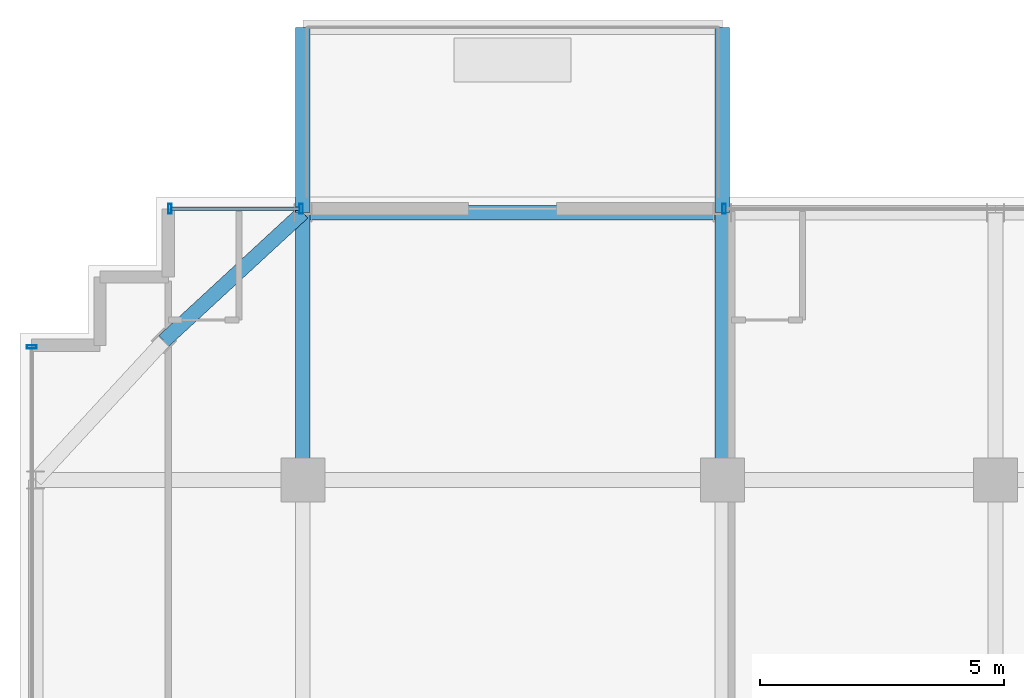
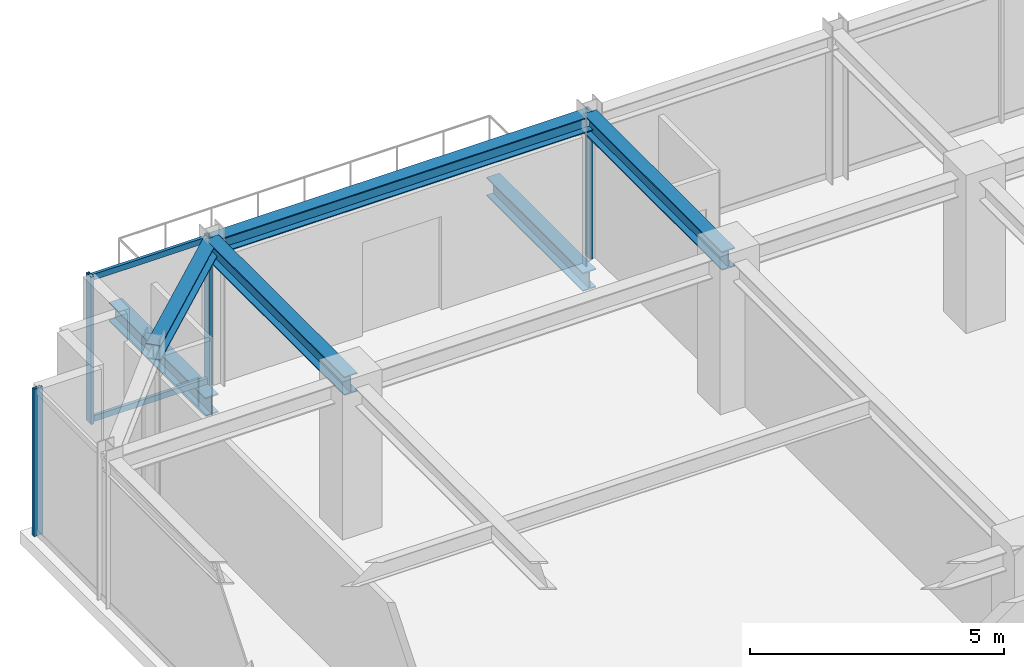
# One storey, part 25 of 39: 6 beams, 6 members, 3 elements without a shape of their own.
"""IFC4 building model written with IfcOpenShell, lengths in metres."""

from ifc_helpers import new_model, si_unit, direction, frame, origin, origin_2d, place, context, subcontext, project, spatial, hollow_rectangle, i_section, extrude, source, transform, mapped, material, material_profile, profile_set, type_object, element, aggregate, save


model = new_model("IFC4")

# Units and contexts
model_context = context("Model", 3, precision=1e-05, world=origin(), true_north=direction((0.0, 1.0)))
body_context = subcontext(model_context, "Body", "Model", "MODEL_VIEW")
ifc_project = project(units=[si_unit("LENGTHUNIT", "METRE"), si_unit("AREAUNIT", "SQUARE_METRE"), si_unit("VOLUMEUNIT", "CUBIC_METRE"), si_unit("PLANEANGLEUNIT", "RADIAN"), si_unit("MASSUNIT", "GRAM", prefix="KILO")], contexts=[model_context])

# Site, building, storey
site_placement = place(None, origin())
site = spatial("IfcSite", under=ifc_project, at=site_placement, CompositionType="ELEMENT")
building_placement = place(site_placement, origin())
building = spatial("IfcBuilding", under=site, at=building_placement, Name="Nahalor Promenade Grand Hotel", CompositionType="ELEMENT")
storey_placement = place(building_placement, frame((0.0, 0.0, 311.89990234375)))
storey = spatial("IfcBuildingStorey", under=building, at=storey_placement, Name="L80", CompositionType="ELEMENT", Elevation=311.89990234375)

# Beams
ifc_material_1 = material(Name="Steel S355JR", Category="steel")
ifc_material_profile_1 = material_profile(ifc_material_1, i_section(OverallWidth=0.3, OverallDepth=0.45, WebThickness=0.014, FlangeThickness=0.026, at=origin_2d()), Name="HEB 450")
ifc_profile_set_1 = profile_set([ifc_material_profile_1], Name="Steel S355JR")
beam_type_1 = type_object("IfcBeamType", Name="Beam-Outrigger-HEB450", PredefinedType="BEAM", material=ifc_profile_set_1)
shared_shape_1 = source(origin(), body_context, "Body", "SweptSolid", [
    extrude(i_section(OverallWidth=0.3, OverallDepth=0.45, WebThickness=0.014, FlangeThickness=0.026, at=origin_2d()), origin(), (0.0, 0.0, 1.0), 3.800048828125),
])
for number, where, z_axis, x_axis, name in (
    (1, (-17.0, 22.47998046875, -0.5048828125), (0.0, 1.0, 0.0), (-1.0, 0.0, 0.0), "BM-L80-BC-01-1"),
    (2, (-8.39990234375, 22.47998046875, -0.5048828125), (0.0, 1.0, 0.0), (-1.0, 0.0, 0.0), "BM-L80-BC-01-2"),
):
    element("IfcBeam", number, at=place(storey_placement, frame(where, z_axis=z_axis, x_axis=x_axis)), inside=storey, type_object=beam_type_1, Name=name, PredefinedType="BEAM", context=body_context, shape_type="MappedRepresentation", body=[
        mapped(shared_shape_1, transform((0.0, 0.0, 0.0), scale=1.0)),
    ])
ifc_material_profile_2 = material_profile(ifc_material_1, i_section(OverallWidth=0.3, OverallDepth=0.45, WebThickness=0.014, FlangeThickness=0.026, at=origin_2d()), Name="HEB 450")
ifc_profile_set_2 = profile_set([ifc_material_profile_2], Name="Steel S355JR")
beam_type_2 = type_object("IfcBeamType", Name="Beam-Girder-HEB450", PredefinedType="BEAM", material=ifc_profile_set_2)
shared_shape_2 = source(origin(), body_context, "Body", "SweptSolid", [
    extrude(i_section(OverallWidth=0.3, OverallDepth=0.45, WebThickness=0.014, FlangeThickness=0.026, at=origin_2d()), origin(), (0.0, 0.0, 1.0), 5.47998046875),
])
for number, where, z_axis, x_axis, name in (
    (3, (-17.0, 17.0, 3.3251953125), (0.0, 1.0, 0.0), (-1.0, 0.0, 0.0), "BM-L80-GY-0-4"),
    (4, (-8.39990234375, 17.0, 3.3251953125), (0.0, 1.0, 0.0), (-1.0, 0.0, 0.0), "BM-L80-GY-1-4"),
):
    element("IfcBeam", number, at=place(storey_placement, frame(where, z_axis=z_axis, x_axis=x_axis)), inside=storey, type_object=beam_type_2, Name=name, PredefinedType="BEAM", context=body_context, shape_type="MappedRepresentation", body=[
        mapped(shared_shape_2, transform((0.0, 0.0, 0.0), scale=1.0)),
    ])
ifc_material_profile_3 = material_profile(ifc_material_1, i_section(OverallWidth=0.3, OverallDepth=0.36, WebThickness=0.0125, FlangeThickness=0.0225, at=origin_2d()), Name="HEB 360")
ifc_profile_set_3 = profile_set([ifc_material_profile_3], Name="Steel S355JR")
beam_type_3 = type_object("IfcBeamType", Name="Beam-Spandrel-HEB360", PredefinedType="SPANDREL", material=ifc_profile_set_3)
shared_shape_3 = source(origin(), body_context, "Body", "SweptSolid", [
    extrude(i_section(OverallWidth=0.3, OverallDepth=0.36, WebThickness=0.0125, FlangeThickness=0.0225, at=origin_2d()), origin(), (0.0, 0.0, 1.0), 8.60009765625),
])
beam_1_placement = place(storey_placement, frame((-17.0, 22.47998046875, 3.3701171875), z_axis=(1.0, 0.0, 0.0), x_axis=(0.0, 1.0, 0.0)))
element("IfcBeam", 5, at=beam_1_placement, inside=storey, type_object=beam_type_3, Name="BM-L80-SP-N-0", PredefinedType="SPANDREL", context=body_context, shape_type="MappedRepresentation", body=[
    mapped(shared_shape_3, transform((0.0, 0.0, 0.0), scale=1.0)),
])
shared_shape_4 = source(origin(), body_context, "Body", "SweptSolid", [
    extrude(i_section(OverallWidth=0.3, OverallDepth=0.36, WebThickness=0.0125, FlangeThickness=0.0225, at=origin_2d()), origin(), (0.0, 0.0, 1.0), 3.878173828125),
])
beam_2_placement = place(storey_placement, frame((-17.0, 22.47998046875, 3.3701171875), z_axis=(-0.73492893846, -0.678144125843, 0.0), x_axis=(0.678144125843, -0.73492893846, 0.0)))
element("IfcBeam", 6, at=beam_2_placement, inside=storey, type_object=beam_type_3, Name="BM-L80-SPC-NW-1", PredefinedType="SPANDREL", context=body_context, shape_type="MappedRepresentation", body=[
    mapped(shared_shape_4, transform((0.0, 0.0, 0.0), scale=1.0)),
])

# Curtain wall, members
ifc_material_2 = material(Name="Anodised Bronze Aluminium EN AW-6063 T6", Category="aluminium")
curtain_wall_type = type_object("IfcCurtainWallType", Name="CW3 Elliptical-Void Collar Unitised Curtain Wall", PredefinedType="USERDEFINED", material=ifc_material_2)
curtain_wall_1_placement = place(storey_placement, origin())
curtain_wall_1 = element("IfcCurtainWall", 7, at=curtain_wall_1_placement, inside=storey, type_object=curtain_wall_type, Name="L80 Curtain Wall CW-L80-N-1", ObjectType="UNITISED_CURTAIN_WALL", PredefinedType="USERDEFINED")
ifc_material_profile_4 = material_profile(ifc_material_2, hollow_rectangle(XDim=0.07, YDim=0.14, WallThickness=0.004, at=origin_2d()), Name="CWT 70x140x4")
ifc_profile_set_4 = profile_set([ifc_material_profile_4], Name="Anodised Bronze Aluminium EN AW-6063 T6")
member_type_1 = type_object("IfcMemberType", Name="CWT3 Void Collar Transom 70x140", PredefinedType="USERDEFINED", material=ifc_profile_set_4)
shared_shape_5 = source(origin(), body_context, "Body", "SweptSolid", [
    extrude(hollow_rectangle(XDim=0.07, YDim=0.14, WallThickness=0.004, at=origin_2d()), origin(), (0.0, 0.0, 1.0), 2.619873046875),
])
member_1_placement = place(storey_placement, frame((-19.68994140625, 22.56005859375, 0.070068359375), z_axis=(1.0, 0.0, 0.0), x_axis=(0.0, 1.0, 0.0)))
member_1 = element("IfcMember", 8, at=member_1_placement, type_object=member_type_1, Name="CW-L80-N-1 Transom 0-0", ObjectType="TRANSOM", PredefinedType="USERDEFINED", context=body_context, shape_type="MappedRepresentation", body=[
    mapped(shared_shape_5, transform((0.0, 0.0, 0.0), scale=1.0)),
])
member_2_placement = place(storey_placement, frame((-19.68994140625, 22.56005859375, 3.47998046875), z_axis=(1.0, 0.0, 0.0), x_axis=(0.0, 1.0, 0.0)))
member_2 = element("IfcMember", 9, at=member_2_placement, type_object=member_type_1, Name="CW-L80-N-1 Transom 0-1", ObjectType="TRANSOM", PredefinedType="USERDEFINED", context=body_context, shape_type="MappedRepresentation", body=[
    mapped(shared_shape_5, transform((0.0, 0.0, 0.0), scale=1.0)),
])
ifc_material_profile_5 = material_profile(ifc_material_2, hollow_rectangle(XDim=0.07, YDim=0.2, WallThickness=0.005, at=origin_2d()), Name="CWM 70x200x5")
ifc_profile_set_5 = profile_set([ifc_material_profile_5], Name="Anodised Bronze Aluminium EN AW-6063 T6")
member_type_2 = type_object("IfcMemberType", Name="CWM3 Void Collar Mullion 70x200", PredefinedType="MULLION", material=ifc_profile_set_5)
shared_shape_6 = source(origin(), body_context, "Body", "SweptSolid", [
    extrude(hollow_rectangle(XDim=0.07, YDim=0.2, WallThickness=0.005, at=origin_2d()), origin(), (0.0, 0.0, 1.0), 3.550048828125),
])
member_3_placement = place(storey_placement, frame((-19.72509765625, 22.56005859375, 0.0), z_axis=(0.0, 0.0, 1.0), x_axis=(1.0, 0.0, 0.0)))
member_3 = element("IfcMember", 10, at=member_3_placement, type_object=member_type_2, Name="CW-L80-N-1 Mullion 0", PredefinedType="MULLION", context=body_context, shape_type="MappedRepresentation", body=[
    mapped(shared_shape_6, transform((0.0, 0.0, 0.0), scale=1.0)),
])
member_4_placement = place(storey_placement, frame((-17.034912109375, 22.56005859375, 0.0), z_axis=(0.0, 0.0, 1.0), x_axis=(1.0, 0.0, 0.0)))
member_4 = element("IfcMember", 11, at=member_4_placement, type_object=member_type_2, Name="CW-L80-N-1 Mullion 1", PredefinedType="MULLION", context=body_context, shape_type="MappedRepresentation", body=[
    mapped(shared_shape_6, transform((0.0, 0.0, 0.0), scale=1.0)),
])
aggregate(curtain_wall_1, [member_3, member_4, member_1, member_2])

# Curtain wall, member
curtain_wall_2_placement = place(storey_placement, origin())
curtain_wall_2 = element("IfcCurtainWall", 12, at=curtain_wall_2_placement, inside=storey, type_object=curtain_wall_type, Name="L80 Curtain Wall CW-L80-N-3", ObjectType="UNITISED_CURTAIN_WALL", PredefinedType="USERDEFINED")
member_5_placement = place(storey_placement, frame((-8.364990234375, 22.56005859375, 0.0), z_axis=(0.0, 0.0, 1.0), x_axis=(1.0, 0.0, 0.0)))
member_5 = element("IfcMember", 13, at=member_5_placement, type_object=member_type_2, Name="CW-L80-N-3 Mullion 0", PredefinedType="MULLION", context=body_context, shape_type="MappedRepresentation", body=[
    mapped(shared_shape_6, transform((0.0, 0.0, 0.0), scale=1.0)),
])
aggregate(curtain_wall_2, [member_5])

curtain_wall_3_placement = place(storey_placement, origin())
curtain_wall_3 = element("IfcCurtainWall", 14, at=curtain_wall_3_placement, inside=storey, type_object=curtain_wall_type, Name="L80 Curtain Wall CW-L80-W-2", ObjectType="UNITISED_CURTAIN_WALL", PredefinedType="USERDEFINED")
member_6_placement = place(storey_placement, frame((-22.56005859375, 19.72509765625, 0.0), z_axis=(0.0, 0.0, 1.0), x_axis=(0.0, 1.0, 0.0)))
member_6 = element("IfcMember", 15, at=member_6_placement, type_object=member_type_2, Name="CW-L80-W-2 Mullion 2", PredefinedType="MULLION", context=body_context, shape_type="MappedRepresentation", body=[
    mapped(shared_shape_6, transform((0.0, 0.0, 0.0), scale=1.0)),
])
aggregate(curtain_wall_3, [member_6])

save(model, "model.ifc")
